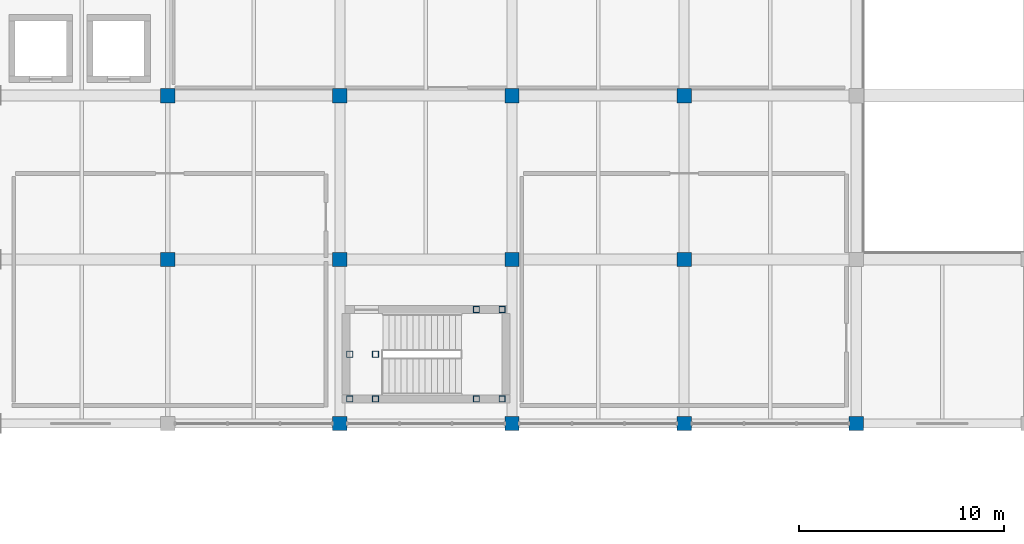
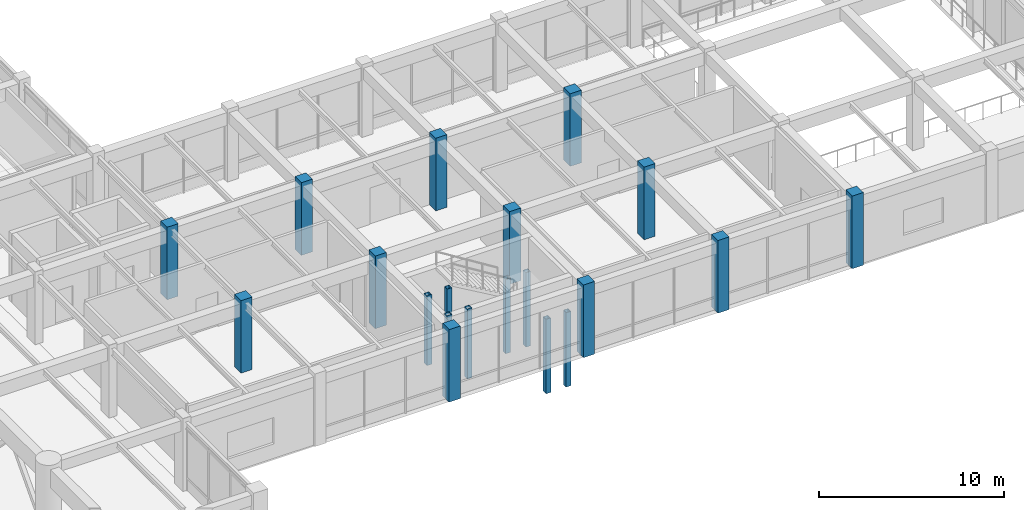
# One storey, part 2 of 76: 20 columns.
"""IFC4 building model written with IfcOpenShell, lengths in metres."""

from ifc_helpers import new_model, si_unit, direction, frame, origin, origin_2d, place, context, subcontext, project, spatial, rectangle, hollow_rectangle, extrude, material, material_profile, profile_set, type_object, element, save


model = new_model("IFC4")

# Units and contexts
model_context = context("Model", 3, precision=1e-05, world=origin(), true_north=direction((0.0, 1.0)))
body_context = subcontext(model_context, "Body", "Model", "MODEL_VIEW")
ifc_project = project(units=[si_unit("LENGTHUNIT", "METRE"), si_unit("AREAUNIT", "SQUARE_METRE"), si_unit("VOLUMEUNIT", "CUBIC_METRE"), si_unit("PLANEANGLEUNIT", "RADIAN"), si_unit("MASSUNIT", "GRAM", prefix="KILO")], contexts=[model_context])

# Site, building, storey
site_placement = place(None, origin())
site = spatial("IfcSite", under=ifc_project, at=site_placement, CompositionType="ELEMENT")
building_placement = place(site_placement, origin())
building = spatial("IfcBuilding", under=site, at=building_placement, Name="Naruveol Harbour Congress Hotel", CompositionType="ELEMENT")
storey_placement = place(building_placement, frame((0.0, 0.0, 11.39990234375)))
storey = spatial("IfcBuildingStorey", under=building, at=storey_placement, Name="L02", CompositionType="ELEMENT", Elevation=11.39990234375)

# Columns
ifc_material_1 = material(Name="Concrete C40/50", Category="concrete")
ifc_material_profile_1 = material_profile(ifc_material_1, rectangle(XDim=0.699951171875, YDim=0.699951171875, at=origin_2d()), Name="RC-700x700")
ifc_profile_set_1 = profile_set([ifc_material_profile_1], Name="Concrete C40/50")
column_type_1 = type_object("IfcColumnType", Name="RC HOTEL COLUMN 700X700", PredefinedType="COLUMN", material=ifc_profile_set_1)
for number, where, z_axis, x_axis, name in (
    (1, (67.199951171875, 16.0, 0.0), (0.0, 0.0, 1.0), (1.0, 0.0, 0.0), "Column C-700 L02 (67.2,16.0)"),
    (2, (67.199951171875, 24.0, 0.0), (0.0, 0.0, 1.0), (1.0, 0.0, 0.0), "Column C-700 L02 (67.2,24.0)"),
    (3, (75.60009765625, 8.0, 0.0), (0.0, 0.0, 1.0), (1.0, 0.0, 0.0), "Column C-700 L02 (75.6,8.0)"),
    (4, (75.60009765625, 16.0, 0.0), (0.0, 0.0, 1.0), (1.0, 0.0, 0.0), "Column C-700 L02 (75.6,16.0)"),
    (5, (75.60009765625, 24.0, 0.0), (0.0, 0.0, 1.0), (1.0, 0.0, 0.0), "Column C-700 L02 (75.6,24.0)"),
    (6, (84.0, 8.0, 0.0), (0.0, 0.0, 1.0), (1.0, 0.0, 0.0), "Column C-700 L02 (84.0,8.0)"),
    (7, (84.0, 16.0, 0.0), (0.0, 0.0, 1.0), (1.0, 0.0, 0.0), "Column C-700 L02 (84.0,16.0)"),
    (8, (84.0, 24.0, 0.0), (0.0, 0.0, 1.0), (1.0, 0.0, 0.0), "Column C-700 L02 (84.0,24.0)"),
    (9, (92.39990234375, 8.0, 0.0), (0.0, 0.0, 1.0), (1.0, 0.0, 0.0), "Column C-700 L02 (92.4,8.0)"),
    (10, (92.39990234375, 16.0, 0.0), (0.0, 0.0, 1.0), (1.0, 0.0, 0.0), "Column C-700 L02 (92.4,16.0)"),
    (11, (92.39990234375, 24.0, 0.0), (0.0, 0.0, 1.0), (1.0, 0.0, 0.0), "Column C-700 L02 (92.4,24.0)"),
    (12, (100.800048828125, 8.0, 0.0), (0.0, 0.0, 1.0), (1.0, 0.0, 0.0), "Column C-700 L02 (100.8,8.0)"),
):
    element("IfcColumn", number, at=place(storey_placement, frame(where, z_axis=z_axis, x_axis=x_axis)), inside=storey, type_object=column_type_1, Name=name, PredefinedType="COLUMN", context=body_context, shape_type="SweptSolid", body=[
        extrude(rectangle(XDim=0.699951171875, YDim=0.699951171875, at=origin_2d()), origin(), (0.0, 0.0, 1.0), 4.800048828125),
    ])
ifc_material_2 = material(Name="Steel SN490", Category="steel")
ifc_material_profile_2 = material_profile(ifc_material_2, hollow_rectangle(XDim=0.300048828125, YDim=0.300048828125, WallThickness=0.011962890625, at=origin_2d()), Name="SHS-300x300x12")
ifc_profile_set_2 = profile_set([ifc_material_profile_2], Name="Steel SN490")
column_type_2 = type_object("IfcColumnType", Name="STEEL COLONNADE POST SHS300", PredefinedType="COLUMN", material=ifc_profile_set_2)
for number, where, z_axis, x_axis, name in (
    (13, (76.080078125, 9.199951171875, 0.0), (0.0, 0.0, 1.0), (1.0, 0.0, 0.0), "Stair landing support post ST10W #460"),
    (14, (76.080078125, 11.3798828125, 0.0), (0.0, 0.0, 1.0), (1.0, 0.0, 0.0), "Stair landing support post ST10W #464"),
    (15, (77.340087890625, 9.199951171875, 0.0), (0.0, 0.0, 1.0), (1.0, 0.0, 0.0), "Stair landing support post ST10W #468"),
    (16, (77.340087890625, 11.3798828125, 0.0), (0.0, 0.0, 1.0), (1.0, 0.0, 0.0), "Stair landing support post ST10W #472"),
):
    element("IfcColumn", number, at=place(storey_placement, frame(where, z_axis=z_axis, x_axis=x_axis)), inside=storey, type_object=column_type_2, Name=name, PredefinedType="COLUMN", context=body_context, shape_type="SweptSolid", body=[
        extrude(hollow_rectangle(XDim=0.300048828125, YDim=0.300048828125, WallThickness=0.011962890625, at=origin_2d()), origin(), (0.0, 0.0, 1.0), 4.6201171875),
    ])
for number, where, z_axis, x_axis, name in (
    (17, (82.260009765625, 9.199951171875, -2.699951171875), (0.0, 0.0, 1.0), (1.0, 0.0, 0.0), "Stair landing support post ST10E #476"),
    (18, (82.260009765625, 13.56005859375, -2.699951171875), (0.0, 0.0, 1.0), (1.0, 0.0, 0.0), "Stair landing support post ST10E #480"),
    (19, (83.52001953125, 9.199951171875, -2.699951171875), (0.0, 0.0, 1.0), (1.0, 0.0, 0.0), "Stair landing support post ST10E #484"),
    (20, (83.52001953125, 13.56005859375, -2.699951171875), (0.0, 0.0, 1.0), (1.0, 0.0, 0.0), "Stair landing support post ST10E #488"),
):
    element("IfcColumn", number, at=place(storey_placement, frame(where, z_axis=z_axis, x_axis=x_axis)), inside=storey, type_object=column_type_2, Name=name, PredefinedType="COLUMN", context=body_context, shape_type="SweptSolid", body=[
        extrude(hollow_rectangle(XDim=0.300048828125, YDim=0.300048828125, WallThickness=0.011962890625, at=origin_2d()), origin(), (0.0, 0.0, 1.0), 4.920166015625),
    ])

save(model, "model.ifc")
